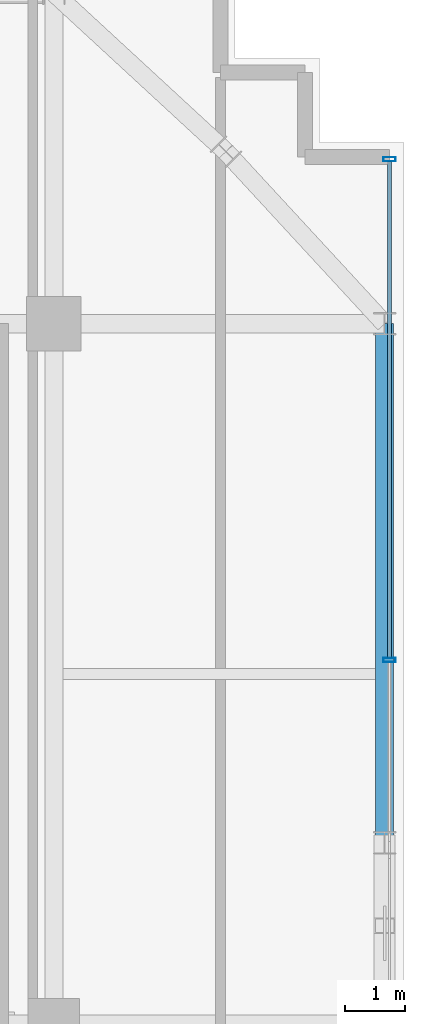
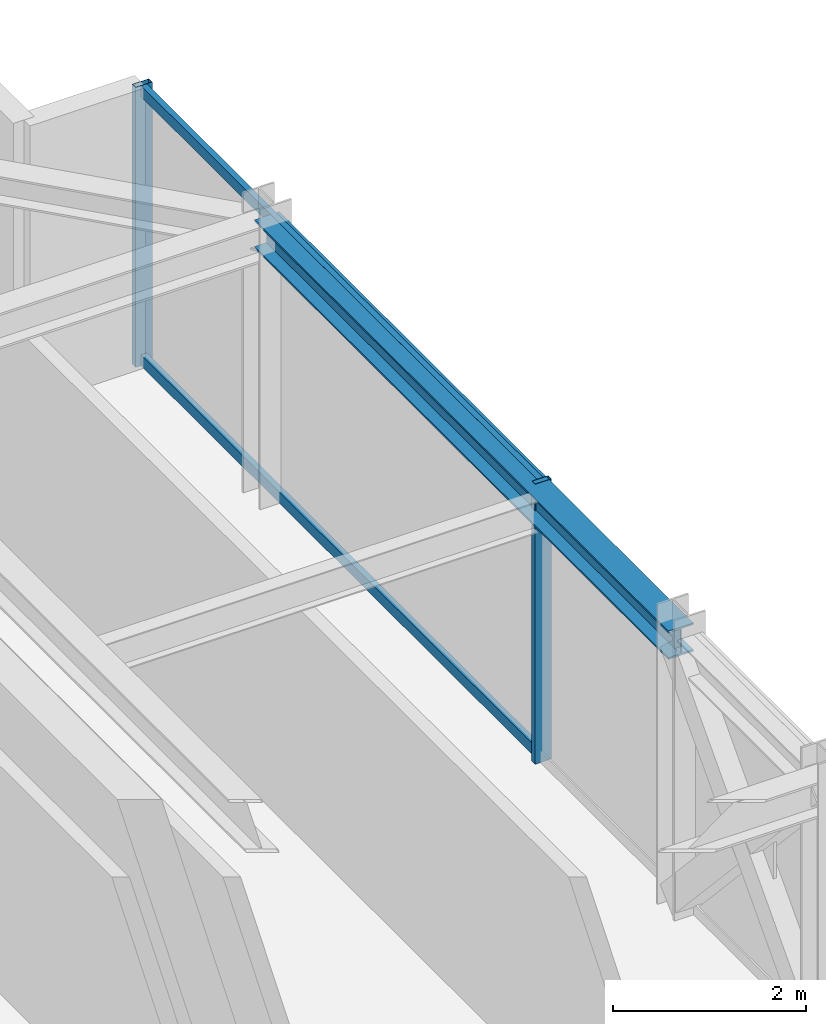
# One storey, part 27 of 37: 4 members, 1 beam, 1 element without a shape of its own.
"""IFC4 building model written with IfcOpenShell, lengths in metres."""

from ifc_helpers import new_model, si_unit, direction, frame, origin, origin_2d, place, context, subcontext, project, spatial, hollow_rectangle, i_section, extrude, source, transform, mapped, material, material_profile, profile_set, type_object, element, aggregate, save


model = new_model("IFC4")

# Units and contexts
model_context = context("Model", 3, precision=1e-05, world=origin(), true_north=direction((0.0, 1.0)))
body_context = subcontext(model_context, "Body", "Model", "MODEL_VIEW")
ifc_project = project(units=[si_unit("LENGTHUNIT", "METRE"), si_unit("AREAUNIT", "SQUARE_METRE"), si_unit("VOLUMEUNIT", "CUBIC_METRE"), si_unit("PLANEANGLEUNIT", "RADIAN"), si_unit("MASSUNIT", "GRAM", prefix="KILO")], contexts=[model_context])

# Site, building, storey
site_placement = place(None, origin())
site = spatial("IfcSite", under=ifc_project, at=site_placement, CompositionType="ELEMENT")
building_placement = place(site_placement, origin())
building = spatial("IfcBuilding", under=site, at=building_placement, Name="Nahalor Promenade Grand Hotel", CompositionType="ELEMENT")
storey_placement = place(building_placement, frame((0.0, 0.0, 308.050048828125)))
storey = spatial("IfcBuildingStorey", under=building, at=storey_placement, Name="L79", CompositionType="ELEMENT", Elevation=308.050048828125)

# Beam
ifc_material_1 = material(Name="Steel S355JR", Category="steel")
ifc_material_profile_1 = material_profile(ifc_material_1, i_section(OverallWidth=0.3, OverallDepth=0.36, WebThickness=0.0125, FlangeThickness=0.0225, at=origin_2d()), Name="HEB 360")
ifc_profile_set_1 = profile_set([ifc_material_profile_1], Name="Steel S355JR")
beam_type = type_object("IfcBeamType", Name="Beam-Spandrel-HEB360", PredefinedType="SPANDREL", material=ifc_profile_set_1)
shared_shape_1 = source(origin(), body_context, "Body", "SweptSolid", [
    extrude(i_section(OverallWidth=0.3, OverallDepth=0.36, WebThickness=0.0125, FlangeThickness=0.0225, at=origin_2d()), origin(), (0.0, 0.0, 1.0), 8.60009765625),
])
beam_placement = place(storey_placement, frame((22.47998046875, 8.39990234375, 3.369873046875), z_axis=(0.0, 1.0, 0.0), x_axis=(-1.0, 0.0, 0.0)))
element("IfcBeam", 1, at=beam_placement, inside=storey, type_object=beam_type, Name="BM-L79-SP-E-4", PredefinedType="SPANDREL", context=body_context, shape_type="MappedRepresentation", body=[
    mapped(shared_shape_1, transform((0.0, 0.0, 0.0), scale=1.0)),
])

# Curtain wall, members
ifc_material_2 = material(Name="Anodised Bronze Aluminium EN AW-6063 T6", Category="aluminium")
curtain_wall_type = type_object("IfcCurtainWallType", Name="CW3 Elliptical-Void Collar Unitised Curtain Wall", PredefinedType="USERDEFINED", material=ifc_material_2)
curtain_wall_placement = place(storey_placement, origin())
curtain_wall = element("IfcCurtainWall", 2, at=curtain_wall_placement, inside=storey, type_object=curtain_wall_type, Name="L79 Curtain Wall CW-L79-E-2", ObjectType="UNITISED_CURTAIN_WALL", PredefinedType="USERDEFINED")
ifc_material_profile_2 = material_profile(ifc_material_2, hollow_rectangle(XDim=0.07, YDim=0.14, WallThickness=0.004, at=origin_2d()), Name="CWT 70x140x4")
ifc_profile_set_2 = profile_set([ifc_material_profile_2], Name="Anodised Bronze Aluminium EN AW-6063 T6")
member_type_1 = type_object("IfcMemberType", Name="CWT3 Void Collar Transom 70x140", PredefinedType="USERDEFINED", material=ifc_profile_set_2)
shared_shape_2 = source(origin(), body_context, "Body", "SweptSolid", [
    extrude(hollow_rectangle(XDim=0.07, YDim=0.14, WallThickness=0.004, at=origin_2d()), origin(), (0.0, 0.0, 1.0), 8.224853515625),
])
member_1_placement = place(storey_placement, frame((22.56005859375, 11.465087890625, 0.070068359375), z_axis=(0.0, 1.0, 0.0), x_axis=(-1.0, 0.0, 0.0)))
member_1 = element("IfcMember", 3, at=member_1_placement, type_object=member_type_1, Name="CW-L79-E-2 Transom 1-0", ObjectType="TRANSOM", PredefinedType="USERDEFINED", context=body_context, shape_type="MappedRepresentation", body=[
    mapped(shared_shape_2, transform((0.0, 0.0, 0.0), scale=1.0)),
])
member_2_placement = place(storey_placement, frame((22.56005859375, 11.465087890625, 3.47998046875), z_axis=(0.0, 1.0, 0.0), x_axis=(-1.0, 0.0, 0.0)))
member_2 = element("IfcMember", 4, at=member_2_placement, type_object=member_type_1, Name="CW-L79-E-2 Transom 1-1", ObjectType="TRANSOM", PredefinedType="USERDEFINED", context=body_context, shape_type="MappedRepresentation", body=[
    mapped(shared_shape_2, transform((0.0, 0.0, 0.0), scale=1.0)),
])
ifc_material_profile_3 = material_profile(ifc_material_2, hollow_rectangle(XDim=0.07, YDim=0.2, WallThickness=0.005, at=origin_2d()), Name="CWM 70x200x5")
ifc_profile_set_3 = profile_set([ifc_material_profile_3], Name="Anodised Bronze Aluminium EN AW-6063 T6")
member_type_2 = type_object("IfcMemberType", Name="CWM3 Void Collar Mullion 70x200", PredefinedType="MULLION", material=ifc_profile_set_3)
shared_shape_3 = source(origin(), body_context, "Body", "SweptSolid", [
    extrude(hollow_rectangle(XDim=0.07, YDim=0.2, WallThickness=0.005, at=origin_2d()), origin(), (0.0, 0.0, 1.0), 3.550048828125),
])
member_3_placement = place(storey_placement, frame((22.56005859375, 11.429931640625, 0.0), z_axis=(0.0, 0.0, 1.0), x_axis=(0.0, 1.0, 0.0)))
member_3 = element("IfcMember", 5, at=member_3_placement, type_object=member_type_2, Name="CW-L79-E-2 Mullion 1", PredefinedType="MULLION", context=body_context, shape_type="MappedRepresentation", body=[
    mapped(shared_shape_3, transform((0.0, 0.0, 0.0), scale=1.0)),
])
member_4_placement = place(storey_placement, frame((22.56005859375, 19.72509765625, 0.0), z_axis=(0.0, 0.0, 1.0), x_axis=(0.0, 1.0, 0.0)))
member_4 = element("IfcMember", 6, at=member_4_placement, type_object=member_type_2, Name="CW-L79-E-2 Mullion 2", PredefinedType="MULLION", context=body_context, shape_type="MappedRepresentation", body=[
    mapped(shared_shape_3, transform((0.0, 0.0, 0.0), scale=1.0)),
])
aggregate(curtain_wall, [member_3, member_4, member_1, member_2])

save(model, "model.ifc")
